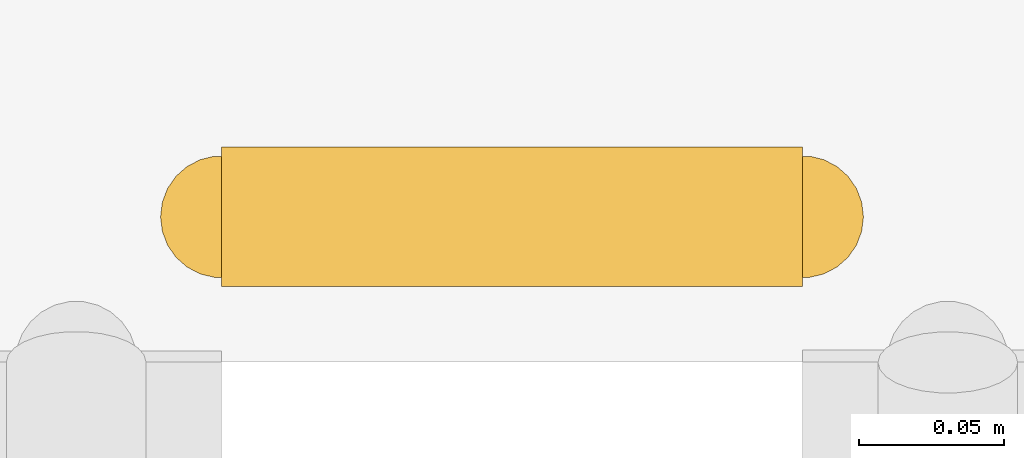
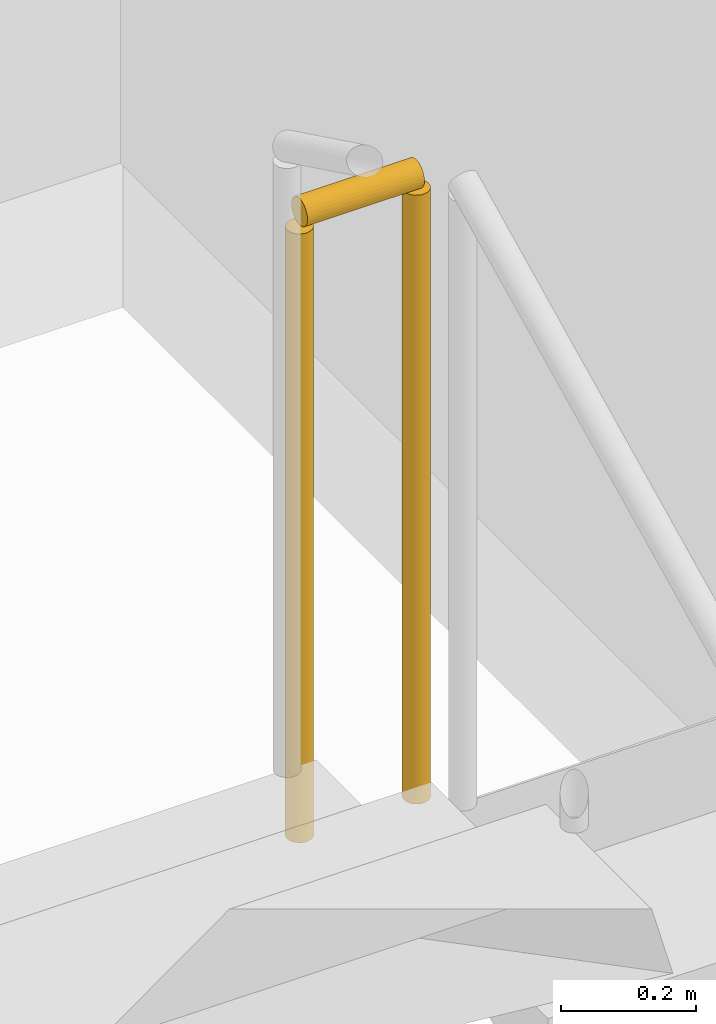
# One storey, part 39 of 40: 1 railing.
"""IFC4 building model written with IfcOpenShell, lengths in metres."""

from ifc_helpers import new_model, si_unit, direction, frame, origin, origin_2d, place, context, subcontext, project, spatial, circle, extrude, material, type_object, element, save


model = new_model("IFC4")

# Units and contexts
model_context = context("Model", 3, precision=1e-05, world=origin(), true_north=direction((0.0, 1.0)))
body_context = subcontext(model_context, "Body", "Model", "MODEL_VIEW")
ifc_project = project(units=[si_unit("LENGTHUNIT", "METRE"), si_unit("AREAUNIT", "SQUARE_METRE"), si_unit("VOLUMEUNIT", "CUBIC_METRE"), si_unit("PLANEANGLEUNIT", "RADIAN"), si_unit("MASSUNIT", "GRAM", prefix="KILO")], contexts=[model_context])

# Site, building, storey
site_placement = place(None, origin())
site = spatial("IfcSite", under=ifc_project, at=site_placement, CompositionType="ELEMENT")
building_placement = place(site_placement, origin())
building = spatial("IfcBuilding", under=site, at=building_placement, Name="Nahalor Promenade Grand Hotel", CompositionType="ELEMENT")
storey_placement = place(building_placement, frame((0.0, 0.0, 91.949951171875)))
storey = spatial("IfcBuildingStorey", under=building, at=storey_placement, Name="L22", CompositionType="ELEMENT", Elevation=91.949951171875)

# Railing
ifc_material = material(Name="Steel S355JR", Category="steel")
railing_type = type_object("IfcRailingType", Name="Steel Stair Guardrail 1150 mm", PredefinedType="GUARDRAIL", material=ifc_material)
railing_placement = place(storey_placement, frame((5.699951171875, 11.550048828125, 1.824951171875)))
element("IfcRailing", 1, at=railing_placement, inside=storey, type_object=railing_type, Name="L22 ST1 stair guard 2", PredefinedType="GUARDRAIL", context=body_context, shape_type="SweptSolid", body=[
    extrude(circle(Radius=0.024048, at=origin_2d()), frame((0.0, 0.0, 1.1259765625), z_axis=(-1.0, 0.0, 0.0), x_axis=(0.0, -1.0, 0.0)), (0.0, 0.0, 1.0), 0.199951171875),
    extrude(circle(Radius=0.020996, at=origin_2d()), origin(), (0.0, 0.0, 1.0), 1.099853515625),
    extrude(circle(Radius=0.020996, at=origin_2d()), frame((-0.199951171875, 0.0, 0.0)), (0.0, 0.0, 1.0), 1.099853515625),
])

save(model, "model.ifc")
